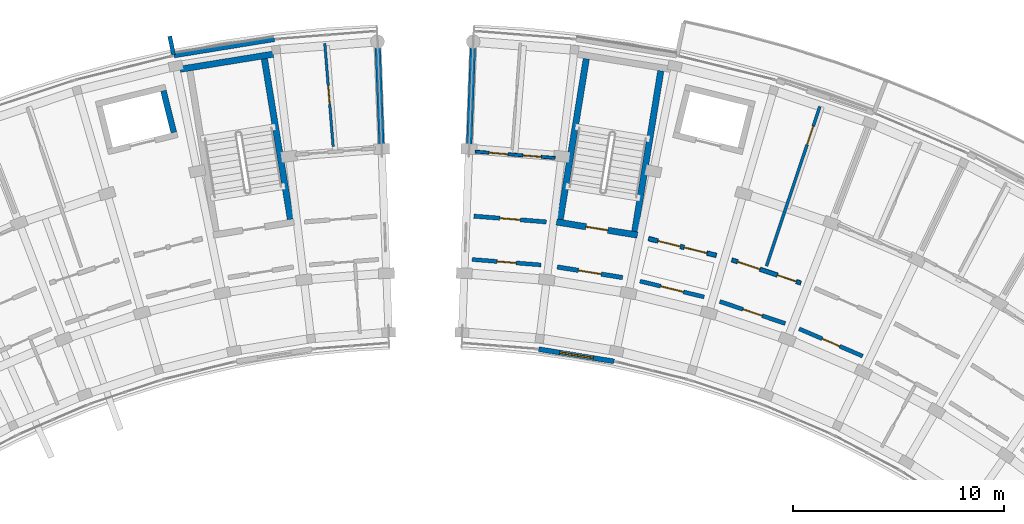
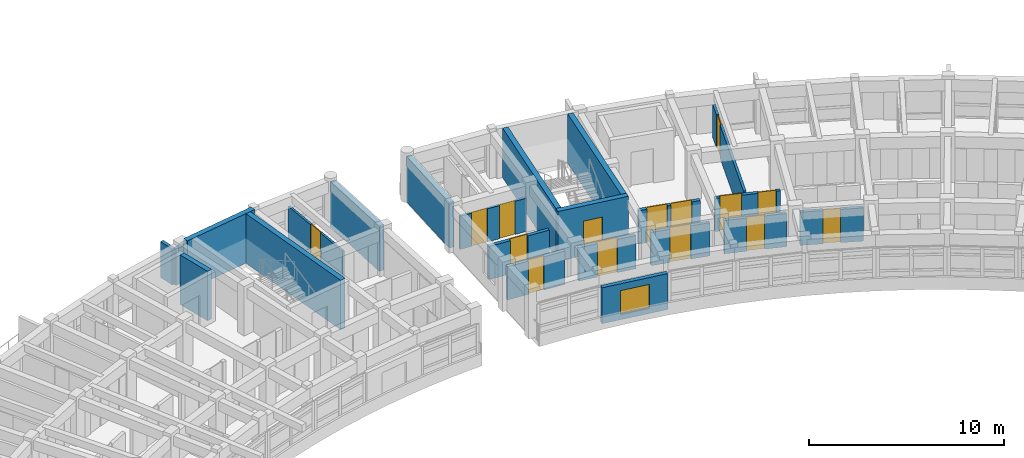
# One storey, part 33 of 50: 22 walls, 15 doors, 1 window, 16 openings.
"""IFC4 building model written with IfcOpenShell, lengths in metres."""

import ifcopenshell
import ifcopenshell.guid

model = None  # the IFC model being written
_history = None  # IfcOwnerHistory: only IFC2X3 demands one
_inside = {}  # id of a spatial element -> (the spatial element, [elements in it])
_under = {}  # id of a project, library or spatial element -> (it, [spatial elements below it])
_declared = {}  # id of a project -> (the project, [libraries it declares])
_typed = {}  # id of a type object -> (the type object, [elements of that type])
_made_of = {}  # id of a material, layer set ... -> (it, [elements and type objects made of it])


def new_model(schema):
    """Start an empty IFC model of exactly this schema.

    Asked for "IFC4X3", IfcOpenShell would pick the latest addendum, in which some entities
    have other attributes; the version numbers below select the first issue.
    IFC2X3 requires an IfcOwnerHistory on every rooted entity: one is made here for all.
    """
    global model, _history
    if schema == "IFC4X3":
        model = ifcopenshell.file(schema_version=(4, 3, 0, 0))
    else:
        model = ifcopenshell.file(schema=schema)
    _inside.clear()
    _under.clear()
    _declared.clear()
    _typed.clear()
    _made_of.clear()
    _history = None
    if model.schema == "IFC2X3":
        org = make("IfcOrganization", Name="unknown")
        user = make(
            "IfcPersonAndOrganization",
            ThePerson=make("IfcPerson", FamilyName="unknown"),
            TheOrganization=org,
        )
        app = make(
            "IfcApplication",
            ApplicationDeveloper=org,
            Version="unknown",
            ApplicationFullName="unknown",
            ApplicationIdentifier="unknown",
        )
        _history = make(
            "IfcOwnerHistory",
            OwningUser=user,
            OwningApplication=app,
            ChangeAction="ADDED",
            CreationDate=0,
        )
    return model


def make(cls, **values):
    """One entity of the class cls with the attributes given. An attribute that is None is left unset."""
    return model.create_entity(
        cls, **{name: value for name, value in values.items() if value is not None}
    )


def rooted(cls, **values):
    """An entity with a GlobalId (a new one), such as an element, a storey or a relation."""
    return make(cls, GlobalId=ifcopenshell.guid.new(), OwnerHistory=_history, **values)


def si_unit(unit_type, name, prefix=None):
    """IfcSIUnit, for example si_unit("LENGTHUNIT", "METRE", prefix="MILLI")."""
    return make("IfcSIUnit", UnitType=unit_type, Prefix=prefix, Name=name)


def assignment(units):
    """IfcUnitAssignment: the units of a project."""
    return None if units is None else make("IfcUnitAssignment", Units=units)


def point(xyz):
    """IfcCartesianPoint."""
    return None if xyz is None else make("IfcCartesianPoint", Coordinates=xyz)


def direction(xyz):
    """IfcDirection."""
    return None if xyz is None else make("IfcDirection", DirectionRatios=xyz)


def frame(location, z_axis=None, x_axis=None):
    """IfcAxis2Placement3D, a coordinate frame: its origin and axes. An axis left out is left unset."""
    return make(
        "IfcAxis2Placement3D",
        Location=point(location),
        Axis=direction(z_axis),
        RefDirection=direction(x_axis),
    )


def frame_2d(location, x_axis=None):
    """IfcAxis2Placement2D, a coordinate frame in the plane: its origin and x axis."""
    return make(
        "IfcAxis2Placement2D", Location=point(location), RefDirection=direction(x_axis)
    )


def origin():
    """The frame at (0, 0, 0) with its axes left unset."""
    return frame((0.0, 0.0, 0.0))


def place(relative_to, where):
    """IfcLocalPlacement: puts the frame where relative to a parent placement (None: the world)."""
    return make(
        "IfcLocalPlacement", PlacementRelTo=relative_to, RelativePlacement=where
    )


def context(
    kind, dimensions, precision=None, world=None, true_north=None, identifier=None
):
    """IfcGeometricRepresentationContext, for example the 3D "Model" context."""
    return make(
        "IfcGeometricRepresentationContext",
        ContextIdentifier=identifier,
        ContextType=kind,
        CoordinateSpaceDimension=dimensions,
        Precision=precision,
        WorldCoordinateSystem=world,
        TrueNorth=true_north,
    )


def subcontext(parent, identifier, kind, view, scale=None):
    """IfcGeometricRepresentationSubContext, for example "Body" below "Model"."""
    return make(
        "IfcGeometricRepresentationSubContext",
        ContextIdentifier=identifier,
        ContextType=kind,
        ParentContext=parent,
        TargetScale=scale,
        TargetView=view,
    )


def project(units=None, contexts=None):
    """IfcProject with its units and contexts."""
    return rooted(
        "IfcProject",
        Name="project",
        RepresentationContexts=contexts,
        UnitsInContext=assignment(units),
    )


def spatial(cls, under=None, at=None, **own):
    """A site, building, storey or space (cls), placed at a placement, below another one or the project."""
    s = rooted(cls, ObjectPlacement=at, **own)
    if under is not None:
        _under.setdefault(under.id(), (under, []))[1].append(s)
    return s


def profile(cls, at=None, kind="AREA", **sizes):
    """A parametric profile (cls). Its sizes go by their IFC names, for example OverallWidth=200.0."""
    return make(cls, ProfileType=kind, Position=at, **sizes)


def rectangle(**sizes):
    """IfcRectangleProfileDef."""
    return profile("IfcRectangleProfileDef", **sizes)


def extrude(swept, where, along, depth):
    """IfcExtrudedAreaSolid: the profile swept, set in the frame where, extruded along a direction by depth."""
    return make(
        "IfcExtrudedAreaSolid",
        SweptArea=swept,
        Position=where,
        ExtrudedDirection=direction(along),
        Depth=depth,
    )


def shape(context_of_items, identifier, shape_type, items):
    """IfcShapeRepresentation: the items that make up one representation, for example the "Body"."""
    return make(
        "IfcShapeRepresentation",
        ContextOfItems=context_of_items,
        RepresentationIdentifier=identifier,
        RepresentationType=shape_type,
        Items=items,
    )


def material(Name=None, Category=None):
    """IfcMaterial."""
    return make("IfcMaterial", Name=Name, Category=Category)


def layer(
    of_material, thickness, ventilated=None, Name=None, Category=None, Priority=None
):
    """IfcMaterialLayer: one layer of a wall or slab, of a material (None: an air gap)."""
    return make(
        "IfcMaterialLayer",
        Material=of_material,
        LayerThickness=thickness,
        IsVentilated=ventilated,
        Name=Name,
        Category=Category,
        Priority=Priority,
    )


def layer_set(layers, Name=None):
    """IfcMaterialLayerSet."""
    return make("IfcMaterialLayerSet", MaterialLayers=layers, LayerSetName=Name)


def made_of(thing, what):
    """Note that an element or type object is made of a material, layer set ...; save() writes the relation."""
    if what is not None:
        _made_of.setdefault(what.id(), (what, []))[1].append(thing)
    return thing


def type_object(cls, material=None, **own):
    """A type object (cls), such as IfcWallType, which elements share."""
    return made_of(rooted(cls, **own), material)


def element(
    cls,
    number,
    at=None,
    inside=None,
    cuts=None,
    type_object=None,
    material=None,
    context=None,
    identifier="Body",
    shape_type=None,
    held_by="IfcProductDefinitionShape",
    body=None,
    shapes=None,
    **own,
):
    """One element of the class cls, such as IfcWall. Its Tag is "e" and its number.

    at: its placement. inside: the storey or other place that contains it. cuts: it is an
    opening in that element (IfcRelVoidsElement). A single representation is given by context,
    identifier, shape_type and body (its items); several are given by shapes. held_by: the class
    of the entity that holds the representations. save() writes the other relations.
    """
    e = rooted(cls, Tag="e%d" % number, ObjectPlacement=at, **own)
    if body is not None:
        shapes = [shape(context, identifier, shape_type, body)]
    if shapes is not None:
        e.Representation = make(held_by, Representations=shapes)
    if inside is not None:
        _inside.setdefault(inside.id(), (inside, []))[1].append(e)
    if cuts is not None:
        rooted(
            "IfcRelVoidsElement", RelatingBuildingElement=cuts, RelatedOpeningElement=e
        )
    if type_object is not None:
        _typed.setdefault(type_object.id(), (type_object, []))[1].append(e)
    return made_of(e, material)


def fill(opening, filler):
    """IfcRelFillsElement: the door or window that sits in an opening."""
    return rooted(
        "IfcRelFillsElement",
        RelatingOpeningElement=opening,
        RelatedBuildingElement=filler,
    )


def aggregate(whole, parts):
    """IfcRelAggregates: a whole, such as a stair, and the parts it consists of."""
    return rooted("IfcRelAggregates", RelatingObject=whole, RelatedObjects=parts)


def save(model, path):
    """Write the relations noted so far, then the file.

    IfcRelAggregates (storeys below a building ...), IfcRelContainedInSpatialStructure (elements
    in a storey), IfcRelDefinesByType, IfcRelAssociatesMaterial and IfcRelDeclares: one each for
    every whole, place, type object, material and project.
    """
    for whole, parts in _under.values():
        aggregate(whole, parts)
    for where, things in _inside.values():
        rooted(
            "IfcRelContainedInSpatialStructure",
            RelatedElements=things,
            RelatingStructure=where,
        )
    for kind, things in _typed.values():
        rooted("IfcRelDefinesByType", RelatedObjects=things, RelatingType=kind)
    for what, things in _made_of.values():
        rooted("IfcRelAssociatesMaterial", RelatedObjects=things, RelatingMaterial=what)
    for by, libraries in _declared.values():
        rooted("IfcRelDeclares", RelatingContext=by, RelatedDefinitions=libraries)
    model.write(path)


model = new_model("IFC4")

# Units and contexts
model_context = context("Model", 3, precision=1e-05, world=origin(), true_north=direction((0.0, 1.0)))
body_context = subcontext(model_context, "Body", "Model", "MODEL_VIEW")
ifc_project = project(units=[si_unit("LENGTHUNIT", "METRE"), si_unit("AREAUNIT", "SQUARE_METRE"), si_unit("VOLUMEUNIT", "CUBIC_METRE"), si_unit("PLANEANGLEUNIT", "RADIAN"), si_unit("MASSUNIT", "GRAM", prefix="KILO")], contexts=[model_context])

# Site, building, storey
site_placement = place(None, origin())
site = spatial("IfcSite", under=ifc_project, at=site_placement, CompositionType="ELEMENT")
building_placement = place(site_placement, origin())
building = spatial("IfcBuilding", under=site, at=building_placement, Name="Zimvara Arc Housing Community", CompositionType="ELEMENT")
storey_placement = place(building_placement, frame((0.0, 0.0, 26.699951171875)))
storey = spatial("IfcBuildingStorey", under=building, at=storey_placement, Name="L08", CompositionType="ELEMENT", Elevation=26.699951171875)

# Wall, opening, window
ifc_material_1 = material(Name="Board-Marked Fair-Faced Concrete C35/45", Category="concrete")
ifc_layer_1 = layer(ifc_material_1, 0.22998046875)
ifc_layer_set_1 = layer_set([ifc_layer_1], Name="Board-Marked Fair-Faced Concrete C35/45")
wall_type_1 = type_object("IfcWallType", Name="EWL-CONC-230", PredefinedType="SOLIDWALL", material=ifc_layer_set_1)
wall_1_placement = place(storey_placement, frame((50.36474609375, 88.79541015625, 0.0), z_axis=(0.0, 0.0, 1.0), x_axis=(0.987080874485, -0.160222804952, 0.0)))
wall_1 = element("IfcWall", 1, at=wall_1_placement, inside=storey, type_object=wall_type_1, Name="ewall:blkB:L08:in:b1", PredefinedType="SOLIDWALL", context=body_context, shape_type="SweptSolid", body=[
    extrude(rectangle(XDim=3.603759765625, YDim=0.22998046875, at=frame_2d((1.8017578125, 0.0))), origin(), (0.0, 0.0, 1.0), 2.25),
])
opening_1_placement = place(wall_1_placement, frame((1.001708984375, 0.0, 0.320068359375)))
opening_1 = element("IfcOpeningElement", 2, at=opening_1_placement, cuts=wall_1, Name="Opening W03", PredefinedType="OPENING", context=body_context, shape_type="SweptSolid", body=[
    extrude(rectangle(XDim=1.60009765625, YDim=1.5, at=frame_2d((0.800048828125, 0.75))), frame((0.0, 0.125, 0.0), z_axis=(0.0, -1.0, 0.0), x_axis=(1.0, 0.0, 0.0)), (0.0, 0.0, 1.0), 0.25),
])
ifc_material_2 = material(Name="Solar Control Low-E Double Glazing", Category="glass")
window_type = type_object("IfcWindowType", Name="WIN-RES-1600x1500", PartitioningType="DOUBLE_PANEL_VERTICAL", PredefinedType="WINDOW", material=ifc_material_2)
window_placement = place(opening_1_placement, origin())
window = element("IfcWindow", 3, at=window_placement, inside=storey, type_object=window_type, Name="win:blkB:L08:in:b1", OverallHeight=1.5, OverallWidth=1.60009765625, PartitioningType="DOUBLE_PANEL_VERTICAL", PredefinedType="WINDOW", context=body_context, shape_type="SweptSolid", body=[
    extrude(rectangle(XDim=1.60009765625, YDim=1.5, at=frame_2d((0.800048828125, 0.75))), frame((0.0, 0.030029296875, 0.0), z_axis=(0.0, -1.0, 0.0), x_axis=(1.0, 0.0, 0.0)), (0.0, 0.0, 1.0), 0.06005859375),
])
fill(opening_1, window)

# Walls
ifc_material_3 = material(Name="Board-Marked Fair-Faced Concrete C35/45", Category="concrete")
ifc_layer_2 = layer(ifc_material_3, 0.195068359375)
ifc_layer_set_2 = layer_set([ifc_layer_2], Name="Board-Marked Fair-Faced Concrete C35/45")
wall_type_2 = type_object("IfcWallType", Name="EWL-PARA-195", PredefinedType="PARAPET", material=ifc_layer_set_2)
wall_2_placement = place(storey_placement, frame((33.092529296875, 102.714599609375, 0.0), z_axis=(0.0, 0.0, 1.0), x_axis=(-0.200183211319, 0.979758481416, 0.0)))
element("IfcWall", 4, at=wall_2_placement, inside=storey, type_object=wall_type_2, Name="finwall:blkA:L08:out:b8", PredefinedType="PARAPET", context=body_context, shape_type="SweptSolid", body=[
    extrude(rectangle(XDim=0.900146484375, YDim=0.195068359375, at=frame_2d((0.4501953125, 0.0))), origin(), (0.0, 0.0, 1.0), 2.25),
])
ifc_material_4 = material(Name="Board-Marked Fair-Faced Concrete C35/45", Category="concrete")
ifc_layer_3 = layer(ifc_material_4, 0.22412109375)
ifc_layer_set_3 = layer_set([ifc_layer_3], Name="Board-Marked Fair-Faced Concrete C35/45")
wall_type_3 = type_object("IfcWallType", Name="EWL-VAR-13", PredefinedType="SOLIDWALL", material=ifc_layer_set_3)
wall_3_placement = place(storey_placement, frame((33.120361328125, 102.6787109375, 0.0), z_axis=(0.0, 0.0, 1.0), x_axis=(0.987080750493, 0.160223568819, 0.0)))
element("IfcWall", 5, at=wall_3_placement, inside=storey, type_object=wall_type_3, Name="ewall:blkA:L08:out:b8", PredefinedType="SOLIDWALL", context=body_context, shape_type="SweptSolid", body=[
    extrude(rectangle(XDim=4.808837890625, YDim=0.22412109375, at=frame_2d((2.404296875, 0.0))), origin(), (0.0, 0.0, 1.0), 2.25),
])

# Wall, opening, door
ifc_material_5 = material(Name="Concrete C35/45", Category="concrete")
ifc_layer_4 = layer(ifc_material_5, 0.2099609375)
ifc_layer_set_4 = layer_set([ifc_layer_4], Name="Concrete C35/45")
wall_type_4 = type_object("IfcWallType", Name="IWL-CCF-210", PredefinedType="SOLIDWALL", material=ifc_layer_set_4)
wall_4_placement = place(storey_placement, frame((51.236328125, 92.682861328125, 0.0), z_axis=(0.0, 0.0, 1.0), x_axis=(0.98707079686, -0.160284877599, 0.0)))
wall_4 = element("IfcWall", 6, at=wall_4_placement, inside=storey, type_object=wall_type_4, Name="iwall:blkB:L08:ccf_div:b1", PredefinedType="SOLIDWALL", context=body_context, shape_type="SweptSolid", body=[
    extrude(rectangle(XDim=3.128662109375, YDim=0.2099609375, at=frame_2d((1.564453125, 0.0))), origin(), (0.0, 0.0, 1.0), 2.080078125),
])
opening_2_placement = place(wall_4_placement, frame((1.014404296875, 0.0, 0.0)))
opening_2 = element("IfcOpeningElement", 7, at=opening_2_placement, cuts=wall_4, Name="Opening FD-CCF1", PredefinedType="OPENING", context=body_context, shape_type="SweptSolid", body=[
    extrude(rectangle(XDim=1.10009765625, YDim=2.14990234375, at=frame_2d((0.550048828125, 1.074951171875))), frame((0.0, 0.114990234375, 0.0), z_axis=(0.0, -1.0, 0.0), x_axis=(1.0, 0.0, 0.0)), (0.0, 0.0, 1.0), 0.22998046875),
])
ifc_material_6 = material(Name="Anodised Aluminium AW-6063", Category="aluminium")
door_type_1 = type_object("IfcDoorType", Name="IDR-CCF-1100x2150", OperationType="NOTDEFINED", PredefinedType="DOOR", material=ifc_material_6)
door_1_placement = place(opening_2_placement, origin())
door_1 = element("IfcDoor", 8, at=door_1_placement, inside=storey, type_object=door_type_1, Name="idoor:blkB:L08:ccf_in:b1", OperationType="SINGLE_SWING_RIGHT", OverallHeight=2.14990234375, OverallWidth=1.10009765625, PredefinedType="DOOR", context=body_context, shape_type="SweptSolid", body=[
    extrude(rectangle(XDim=1.10009765625, YDim=2.14990234375, at=frame_2d((0.550048828125, 1.074951171875))), frame((0.0, 0.02490234375, 0.0), z_axis=(0.0, -1.0, 0.0), x_axis=(1.0, 0.0, 0.0)), (0.0, 0.0, 1.0), 0.050048828125),
])
fill(opening_2, door_1)

# Wall, openings, doors
wall_5_placement = place(storey_placement, frame((55.5576171875, 94.021728515625, 0.0), z_axis=(0.0, 0.0, 1.0), x_axis=(0.970719238682, -0.240216901263, 0.0)))
wall_5 = element("IfcWall", 9, at=wall_5_placement, inside=storey, type_object=wall_type_4, Name="iwall:blkB:L08:ll_div:b2", PredefinedType="SOLIDWALL", context=body_context, shape_type="SweptSolid", body=[
    extrude(rectangle(XDim=3.2958984375, YDim=0.2099609375, at=frame_2d((1.64794921875, 0.0))), origin(), (0.0, 0.0, 1.0), 2.080078125),
])
opening_3_placement = place(wall_5_placement, frame((0.449951171875, 0.0, 0.0)))
opening_3 = element("IfcOpeningElement", 10, at=opening_3_placement, cuts=wall_5, Name="Opening FD-CCF1", PredefinedType="OPENING", context=body_context, shape_type="SweptSolid", body=[
    extrude(rectangle(XDim=1.10009765625, YDim=2.14990234375, at=frame_2d((0.550048828125, 1.074951171875))), frame((0.0, 0.114990234375, 0.0), z_axis=(0.0, -1.0, 0.0), x_axis=(1.0, 0.0, 0.0)), (0.0, 0.0, 1.0), 0.22998046875),
])
opening_4_placement = place(wall_5_placement, frame((1.72607421875, 0.0, 0.0)))
opening_4 = element("IfcOpeningElement", 11, at=opening_4_placement, cuts=wall_5, Name="Opening D07", PredefinedType="OPENING", context=body_context, shape_type="SweptSolid", body=[
    extrude(rectangle(XDim=1.1201171875, YDim=2.14990234375, at=frame_2d((0.56005859375, 1.074951171875))), frame((0.0, 0.114990234375, 0.0), z_axis=(0.0, -1.0, 0.0), x_axis=(1.0, 0.0, 0.0)), (0.0, 0.0, 1.0), 0.22998046875),
])
ifc_material_7 = material(Name="Mozambican Hardwood", Category="wood")
door_type_2 = type_object("IfcDoorType", Name="IDR-AMN-1120x2150", OperationType="NOTDEFINED", PredefinedType="DOOR", material=ifc_material_7)
door_2_placement = place(opening_4_placement, origin())
door_2 = element("IfcDoor", 12, at=door_2_placement, inside=storey, type_object=door_type_2, Name="idoor:blkB:L08:rs_in:b2", OperationType="SINGLE_SWING_RIGHT", OverallHeight=2.14990234375, OverallWidth=1.1201171875, PredefinedType="DOOR", context=body_context, shape_type="SweptSolid", body=[
    extrude(rectangle(XDim=1.1201171875, YDim=2.14990234375, at=frame_2d((0.56005859375, 1.074951171875))), frame((0.0, 0.02490234375, 0.0), z_axis=(0.0, -1.0, 0.0), x_axis=(1.0, 0.0, 0.0)), (0.0, 0.0, 1.0), 0.050048828125),
])
fill(opening_4, door_2)
door_3_placement = place(opening_3_placement, origin())
door_3 = element("IfcDoor", 13, at=door_3_placement, inside=storey, type_object=door_type_1, Name="idoor:blkB:L08:ll_in:b2", OperationType="SINGLE_SWING_LEFT", OverallHeight=2.14990234375, OverallWidth=1.10009765625, PredefinedType="DOOR", context=body_context, shape_type="SweptSolid", body=[
    extrude(rectangle(XDim=1.10009765625, YDim=2.14990234375, at=frame_2d((0.550048828125, 1.074951171875))), frame((0.0, 0.02490234375, 0.0), z_axis=(0.0, -1.0, 0.0), x_axis=(1.0, 0.0, 0.0)), (0.0, 0.0, 1.0), 0.050048828125),
])
fill(opening_3, door_3)

# Wall, opening, door
ifc_material_8 = material(Name="Concrete C35/45", Category="concrete")
ifc_layer_5 = layer(ifc_material_8, 0.18994140625)
ifc_layer_set_5 = layer_set([ifc_layer_5], Name="Concrete C35/45")
wall_type_5 = type_object("IfcWallType", Name="IWL-CORR-190", PredefinedType="SOLIDWALL", material=ifc_layer_set_5)
wall_6_placement = place(storey_placement, frame((47.214599609375, 93.036376953125, 0.0), z_axis=(0.0, 0.0, 1.0), x_axis=(0.99686660806, -0.07910098441, 0.0)))
wall_6 = element("IfcWall", 14, at=wall_6_placement, inside=storey, type_object=wall_type_5, Name="iwall:blkB:L08:corr_in:b0", PredefinedType="SOLIDWALL", context=body_context, shape_type="SweptSolid", body=[
    extrude(rectangle(XDim=3.2685546875, YDim=0.18994140625, at=frame_2d((1.63427734375, 0.0))), origin(), (0.0, 0.0, 1.0), 2.080078125),
])
opening_5_placement = place(wall_6_placement, frame((1.184326171875, 0.0, 0.0)))
opening_5 = element("IfcOpeningElement", 15, at=opening_5_placement, cuts=wall_6, Name="Opening D01", PredefinedType="OPENING", context=body_context, shape_type="SweptSolid", body=[
    extrude(rectangle(XDim=0.89990234375, YDim=2.10009765625, at=frame_2d((0.449951171875, 1.050048828125))), frame((0.0, 0.10498046875, 0.0), z_axis=(0.0, -1.0, 0.0), x_axis=(1.0, 0.0, 0.0)), (0.0, 0.0, 1.0), 0.2099609375),
])
ifc_material_9 = material(Name="Mozambican Hardwood", Category="wood")
door_type_3 = type_object("IfcDoorType", Name="IDR-RM-0900x2100", OperationType="NOTDEFINED", PredefinedType="DOOR", material=ifc_material_9)
door_4_placement = place(opening_5_placement, origin())
door_4 = element("IfcDoor", 16, at=door_4_placement, inside=storey, type_object=door_type_3, Name="idoor:blkB:L08:in_rm:b0", OperationType="SINGLE_SWING_RIGHT", OverallHeight=2.10009765625, OverallWidth=0.89990234375, PredefinedType="DOOR", context=body_context, shape_type="SweptSolid", body=[
    extrude(rectangle(XDim=0.89990234375, YDim=2.10009765625, at=frame_2d((0.449951171875, 1.050048828125))), frame((0.0, 0.02490234375, 0.0), z_axis=(0.0, -1.0, 0.0), x_axis=(1.0, 0.0, 0.0)), (0.0, 0.0, 1.0), 0.050048828125),
])
fill(opening_5, door_4)

wall_7_placement = place(storey_placement, frame((55.146728515625, 92.01318359375, 0.0), z_axis=(0.0, 0.0, 1.0), x_axis=(0.970727194092, -0.240184751078, 0.0)))
wall_7 = element("IfcWall", 17, at=wall_7_placement, inside=storey, type_object=wall_type_5, Name="iwall:blkB:L08:ra_div:b2", PredefinedType="SOLIDWALL", context=body_context, shape_type="SweptSolid", body=[
    extrude(rectangle(XDim=3.128662109375, YDim=0.18994140625, at=frame_2d((1.564453125, 0.0))), origin(), (0.0, 0.0, 1.0), 2.080078125),
])
opening_6_placement = place(wall_7_placement, frame((1.00439453125, 0.0, 0.0)))
opening_6 = element("IfcOpeningElement", 18, at=opening_6_placement, cuts=wall_7, Name="Opening D07", PredefinedType="OPENING", context=body_context, shape_type="SweptSolid", body=[
    extrude(rectangle(XDim=1.1201171875, YDim=2.14990234375, at=frame_2d((0.56005859375, 1.074951171875))), frame((0.0, 0.10498046875, 0.0), z_axis=(0.0, -1.0, 0.0), x_axis=(1.0, 0.0, 0.0)), (0.0, 0.0, 1.0), 0.2099609375),
])
door_5_placement = place(opening_6_placement, origin())
door_5 = element("IfcDoor", 19, at=door_5_placement, inside=storey, type_object=door_type_2, Name="idoor:blkB:L08:ra_d:b2", OperationType="SINGLE_SWING_LEFT", OverallHeight=2.14990234375, OverallWidth=1.1201171875, PredefinedType="DOOR", context=body_context, shape_type="SweptSolid", body=[
    extrude(rectangle(XDim=1.1201171875, YDim=2.14990234375, at=frame_2d((0.56005859375, 1.074951171875))), frame((0.0, 0.02490234375, 0.0), z_axis=(0.0, -1.0, 0.0), x_axis=(1.0, 0.0, 0.0)), (0.0, 0.0, 1.0), 0.050048828125),
])
fill(opening_6, door_5)

wall_8_placement = place(storey_placement, frame((58.92333984375, 91.04931640625, 0.0), z_axis=(0.0, 0.0, 1.0), x_axis=(0.94787351033, -0.318646839643, 0.0)))
wall_8 = element("IfcWall", 20, at=wall_8_placement, inside=storey, type_object=wall_type_5, Name="iwall:blkB:L08:corr_in:b3", PredefinedType="SOLIDWALL", context=body_context, shape_type="SweptSolid", body=[
    extrude(rectangle(XDim=3.2685546875, YDim=0.18994140625, at=frame_2d((1.63427734375, 0.0))), origin(), (0.0, 0.0, 1.0), 2.080078125),
])
opening_7_placement = place(wall_8_placement, frame((1.154296875, 0.0, 0.0)))
opening_7 = element("IfcOpeningElement", 21, at=opening_7_placement, cuts=wall_8, Name="Opening D04", PredefinedType="OPENING", context=body_context, shape_type="SweptSolid", body=[
    extrude(rectangle(XDim=0.9599609375, YDim=2.10009765625, at=frame_2d((0.47998046875, 1.050048828125))), frame((0.0, 0.10498046875, 0.0), z_axis=(0.0, -1.0, 0.0), x_axis=(1.0, 0.0, 0.0)), (0.0, 0.0, 1.0), 0.2099609375),
])
ifc_material_10 = material(Name="Mozambican Hardwood", Category="wood")
door_type_4 = type_object("IfcDoorType", Name="IDR-RM-0960x2100", OperationType="NOTDEFINED", PredefinedType="DOOR", material=ifc_material_10)
door_6_placement = place(opening_7_placement, origin())
door_6 = element("IfcDoor", 22, at=door_6_placement, inside=storey, type_object=door_type_4, Name="idoor:blkB:L08:in_rm:b3", OperationType="SINGLE_SWING_RIGHT", OverallHeight=2.10009765625, OverallWidth=0.9599609375, PredefinedType="DOOR", context=body_context, shape_type="SweptSolid", body=[
    extrude(rectangle(XDim=0.9599609375, YDim=2.10009765625, at=frame_2d((0.47998046875, 1.050048828125))), frame((0.0, 0.02490234375, 0.0), z_axis=(0.0, -1.0, 0.0), x_axis=(1.0, 0.0, 0.0)), (0.0, 0.0, 1.0), 0.050048828125),
])
fill(opening_7, door_6)

wall_9_placement = place(storey_placement, frame((62.6748046875, 89.758056640625, 0.0), z_axis=(0.0, 0.0, 1.0), x_axis=(0.918723391052, -0.394901672235, 0.0)))
wall_9 = element("IfcWall", 23, at=wall_9_placement, inside=storey, type_object=wall_type_5, Name="iwall:blkB:L08:corr_in:b4", PredefinedType="SOLIDWALL", context=body_context, shape_type="SweptSolid", body=[
    extrude(rectangle(XDim=3.2685546875, YDim=0.18994140625, at=frame_2d((1.63427734375, 0.0))), origin(), (0.0, 0.0, 1.0), 2.080078125),
])
opening_8_placement = place(wall_9_placement, frame((1.184326171875, 0.0, 0.0)))
opening_8 = element("IfcOpeningElement", 24, at=opening_8_placement, cuts=wall_9, Name="Opening D01", PredefinedType="OPENING", context=body_context, shape_type="SweptSolid", body=[
    extrude(rectangle(XDim=0.89990234375, YDim=2.10009765625, at=frame_2d((0.449951171875, 1.050048828125))), frame((0.0, 0.10498046875, 0.0), z_axis=(0.0, -1.0, 0.0), x_axis=(1.0, 0.0, 0.0)), (0.0, 0.0, 1.0), 0.2099609375),
])
door_7_placement = place(opening_8_placement, origin())
door_7 = element("IfcDoor", 25, at=door_7_placement, inside=storey, type_object=door_type_3, Name="idoor:blkB:L08:in_rm:b4", OperationType="SINGLE_SWING_LEFT", OverallHeight=2.10009765625, OverallWidth=0.89990234375, PredefinedType="DOOR", context=body_context, shape_type="SweptSolid", body=[
    extrude(rectangle(XDim=0.89990234375, YDim=2.10009765625, at=frame_2d((0.449951171875, 1.050048828125))), frame((0.0, 0.02490234375, 0.0), z_axis=(0.0, -1.0, 0.0), x_axis=(1.0, 0.0, 0.0)), (0.0, 0.0, 1.0), 0.050048828125),
])
fill(opening_8, door_7)

ifc_material_11 = material(Name="Concrete C35/45", Category="concrete")
ifc_layer_6 = layer(ifc_material_11, 0.199951171875)
ifc_layer_set_6 = layer_set([ifc_layer_6], Name="Concrete C35/45")
wall_type_6 = type_object("IfcWallType", Name="IWL-CORR-200", PredefinedType="SOLIDWALL", material=ifc_layer_set_6)
wall_10_placement = place(storey_placement, frame((47.293212890625, 95.0849609375, 0.0), z_axis=(0.0, 0.0, 1.0), x_axis=(0.996862545573, -0.079152165058, 0.0)))
wall_10 = element("IfcWall", 26, at=wall_10_placement, inside=storey, type_object=wall_type_6, Name="iwall:blkB:L08:corr_out:b0", PredefinedType="SOLIDWALL", context=body_context, shape_type="SweptSolid", body=[
    extrude(rectangle(XDim=3.43603515625, YDim=0.199951171875, at=frame_2d((1.718017578125, 0.0))), origin(), (0.0, 0.0, 1.0), 2.080078125),
])
opening_9_placement = place(wall_10_placement, frame((1.22802734375, 0.0, 0.0)))
opening_9 = element("IfcOpeningElement", 27, at=opening_9_placement, cuts=wall_10, Name="Opening FD-FL1", PredefinedType="OPENING", context=body_context, shape_type="SweptSolid", body=[
    extrude(rectangle(XDim=0.97998046875, YDim=2.14990234375, at=frame_2d((0.489990234375, 1.074951171875))), frame((0.0, 0.10986328125, 0.0), z_axis=(0.0, -1.0, 0.0), x_axis=(1.0, 0.0, 0.0)), (0.0, 0.0, 1.0), 0.219970703125),
])
ifc_material_12 = material(Name="Mozambican Hardwood", Category="wood")
door_type_5 = type_object("IfcDoorType", Name="IDR-FLAT-0980x2150", OperationType="NOTDEFINED", PredefinedType="DOOR", material=ifc_material_12)
door_8_placement = place(opening_9_placement, origin())
door_8 = element("IfcDoor", 28, at=door_8_placement, inside=storey, type_object=door_type_5, Name="idoor:blkB:L08:flat:b0", OperationType="SINGLE_SWING_LEFT", OverallHeight=2.14990234375, OverallWidth=0.97998046875, PredefinedType="DOOR", context=body_context, shape_type="SweptSolid", body=[
    extrude(rectangle(XDim=0.97998046875, YDim=2.14990234375, at=frame_2d((0.489990234375, 1.074951171875))), frame((0.0, 0.02490234375, 0.0), z_axis=(0.0, -1.0, 0.0), x_axis=(1.0, 0.0, 0.0)), (0.0, 0.0, 1.0), 0.050048828125),
])
fill(opening_9, door_8)

# Wall, openings, doors
wall_11_placement = place(storey_placement, frame((59.49658203125, 93.017578125, 0.0), z_axis=(0.0, 0.0, 1.0), x_axis=(0.947863007629, -0.318678080151, 0.0)))
wall_11 = element("IfcWall", 29, at=wall_11_placement, inside=storey, type_object=wall_type_6, Name="iwall:blkB:L08:corr_out:b3", PredefinedType="SOLIDWALL", context=body_context, shape_type="SweptSolid", body=[
    extrude(rectangle(XDim=3.43603515625, YDim=0.199951171875, at=frame_2d((1.718017578125, 0.0))), origin(), (0.0, 0.0, 1.0), 2.080078125),
])
opening_10_placement = place(wall_11_placement, frame((0.280029296875, 0.0, 0.0)))
opening_10 = element("IfcOpeningElement", 30, at=opening_10_placement, cuts=wall_11, Name="Opening D07", PredefinedType="OPENING", context=body_context, shape_type="SweptSolid", body=[
    extrude(rectangle(XDim=1.1201171875, YDim=2.14990234375, at=frame_2d((0.56005859375, 1.074951171875))), frame((0.0, 0.10986328125, 0.0), z_axis=(0.0, -1.0, 0.0), x_axis=(1.0, 0.0, 0.0)), (0.0, 0.0, 1.0), 0.219970703125),
])
opening_11_placement = place(wall_11_placement, frame((2.26611328125, 0.0, 0.0)))
opening_11 = element("IfcOpeningElement", 31, at=opening_11_placement, cuts=wall_11, Name="Opening D06", PredefinedType="OPENING", context=body_context, shape_type="SweptSolid", body=[
    extrude(rectangle(XDim=0.949951171875, YDim=2.10009765625, at=frame_2d((0.47509765625, 1.050048828125))), frame((0.0, 0.10986328125, 0.0), z_axis=(0.0, -1.0, 0.0), x_axis=(1.0, 0.0, 0.0)), (0.0, 0.0, 1.0), 0.219970703125),
])
door_9_placement = place(opening_10_placement, origin())
door_9 = element("IfcDoor", 32, at=door_9_placement, inside=storey, type_object=door_type_2, Name="idoor:blkB:L08:amen:b3", OperationType="SINGLE_SWING_RIGHT", OverallHeight=2.14990234375, OverallWidth=1.1201171875, PredefinedType="DOOR", context=body_context, shape_type="SweptSolid", body=[
    extrude(rectangle(XDim=1.1201171875, YDim=2.14990234375, at=frame_2d((0.56005859375, 1.074951171875))), frame((0.0, 0.02490234375, 0.0), z_axis=(0.0, -1.0, 0.0), x_axis=(1.0, 0.0, 0.0)), (0.0, 0.0, 1.0), 0.050048828125),
])
fill(opening_10, door_9)
ifc_material_13 = material(Name="Mozambican Hardwood", Category="wood")
door_type_6 = type_object("IfcDoorType", Name="IDR-AWC-0950x2100", OperationType="NOTDEFINED", PredefinedType="DOOR", material=ifc_material_13)
door_10_placement = place(opening_11_placement, origin())
door_10 = element("IfcDoor", 33, at=door_10_placement, inside=storey, type_object=door_type_6, Name="idoor:blkB:L08:cawc:b3", OperationType="SINGLE_SWING_LEFT", OverallHeight=2.10009765625, OverallWidth=0.949951171875, PredefinedType="DOOR", context=body_context, shape_type="SweptSolid", body=[
    extrude(rectangle(XDim=0.949951171875, YDim=2.10009765625, at=frame_2d((0.47509765625, 1.050048828125))), frame((0.0, 0.02490234375, 0.0), z_axis=(0.0, -1.0, 0.0), x_axis=(1.0, 0.0, 0.0)), (0.0, 0.0, 1.0), 0.050048828125),
])
fill(opening_11, door_10)

# Wall, opening, door
ifc_material_14 = material(Name="Painted Acoustic Plasterboard")
ifc_layer_7 = layer(ifc_material_14, 0.1201171875)
ifc_layer_set_7 = layer_set([ifc_layer_7], Name="Painted Acoustic Plasterboard")
wall_type_7 = type_object("IfcWallType", Name="IWL-PART-120", PredefinedType="PARTITIONING", material=ifc_layer_set_7)
wall_12_placement = place(storey_placement, frame((40.640380859375, 98.373779296875, 0.0), z_axis=(0.0, 0.0, 1.0), x_axis=(-0.080666032472, 0.996741185667, 0.0)))
wall_12 = element("IfcWall", 34, at=wall_12_placement, inside=storey, type_object=wall_type_7, Name="iwall:blkA:L08:bed_div:b9", PredefinedType="PARTITIONING", context=body_context, shape_type="SweptSolid", body=[
    extrude(rectangle(XDim=4.89990234375, YDim=0.1201171875, at=frame_2d((2.449951171875, 0.0))), origin(), (0.0, 0.0, 1.0), 2.080078125),
])
opening_12_placement = place(wall_12_placement, frame((2.0048828125, 0.0, 0.0)))
opening_12 = element("IfcOpeningElement", 35, at=opening_12_placement, cuts=wall_12, Name="Opening D12", PredefinedType="OPENING", context=body_context, shape_type="SweptSolid", body=[
    extrude(rectangle(XDim=0.889892578125, YDim=2.10009765625, at=frame_2d((0.44482421875, 1.050048828125))), frame((0.0, 0.070068359375, 0.0), z_axis=(0.0, -1.0, 0.0), x_axis=(1.0, 0.0, 0.0)), (0.0, 0.0, 1.0), 0.14013671875),
])
ifc_material_15 = material(Name="Mozambican Hardwood", Category="wood")
door_type_7 = type_object("IfcDoorType", Name="IDR-MOD-890x2140", OperationType="NOTDEFINED", PredefinedType="DOOR", material=ifc_material_15)
door_11_placement = place(opening_12_placement, origin())
door_11 = element("IfcDoor", 36, at=door_11_placement, inside=storey, type_object=door_type_7, Name="idoor:blkA:L08:bed_d:b9", OperationType="SINGLE_SWING_LEFT", OverallHeight=2.10009765625, OverallWidth=0.889892578125, PredefinedType="DOOR", context=body_context, shape_type="SweptSolid", body=[
    extrude(rectangle(XDim=0.889892578125, YDim=2.10009765625, at=frame_2d((0.44482421875, 1.050048828125))), frame((0.0, 0.02490234375, 0.0), z_axis=(0.0, -1.0, 0.0), x_axis=(1.0, 0.0, 0.0)), (0.0, 0.0, 1.0), 0.050048828125),
])
fill(opening_12, door_11)

# Wall, openings, doors
ifc_material_16 = material(Name="Painted Acoustic Plasterboard")
ifc_layer_8 = layer(ifc_material_16, 0.139892578125)
ifc_layer_set_8 = layer_set([ifc_layer_8], Name="Painted Acoustic Plasterboard")
wall_type_8 = type_object("IfcWallType", Name="IWL-PART-140", PredefinedType="PARTITIONING", material=ifc_layer_set_8)
wall_13_placement = place(storey_placement, frame((47.360595703125, 98.13671875, 0.0), z_axis=(0.0, 0.0, 1.0), x_axis=(0.996863292793, -0.079142753818, 0.0)))
wall_13 = element("IfcWall", 37, at=wall_13_placement, inside=storey, type_object=wall_type_8, Name="iwall:blkB:L08:srv:b0", PredefinedType="PARTITIONING", context=body_context, shape_type="SweptSolid", body=[
    extrude(rectangle(XDim=3.78515625, YDim=0.139892578125, at=frame_2d((1.892578125, 0.0))), origin(), (0.0, 0.0, 1.0), 2.080078125),
])
opening_13_placement = place(wall_13_placement, frame((0.64990234375, 0.0, 0.0)))
opening_13 = element("IfcOpeningElement", 38, at=opening_13_placement, cuts=wall_13, Name="Opening D01", PredefinedType="OPENING", context=body_context, shape_type="SweptSolid", body=[
    extrude(rectangle(XDim=0.89990234375, YDim=2.10009765625, at=frame_2d((0.449951171875, 1.050048828125))), frame((0.0, 0.079833984375, 0.0), z_axis=(0.0, -1.0, 0.0), x_axis=(1.0, 0.0, 0.0)), (0.0, 0.0, 1.0), 0.159912109375),
])
opening_14_placement = place(wall_13_placement, frame((2.255126953125, 0.0, 0.0)))
opening_14 = element("IfcOpeningElement", 39, at=opening_14_placement, cuts=wall_13, Name="Opening D05", PredefinedType="OPENING", context=body_context, shape_type="SweptSolid", body=[
    extrude(rectangle(XDim=0.8798828125, YDim=2.10009765625, at=frame_2d((0.43994140625, 1.050048828125))), frame((0.0, 0.079833984375, 0.0), z_axis=(0.0, -1.0, 0.0), x_axis=(1.0, 0.0, 0.0)), (0.0, 0.0, 1.0), 0.159912109375),
])
door_12_placement = place(opening_13_placement, origin())
door_12 = element("IfcDoor", 40, at=door_12_placement, inside=storey, type_object=door_type_3, Name="idoor:blkB:L08:kit_liv:b0", OperationType="SINGLE_SWING_LEFT", OverallHeight=2.10009765625, OverallWidth=0.89990234375, PredefinedType="DOOR", context=body_context, shape_type="SweptSolid", body=[
    extrude(rectangle(XDim=0.89990234375, YDim=2.10009765625, at=frame_2d((0.449951171875, 1.050048828125))), frame((0.0, 0.02490234375, 0.0), z_axis=(0.0, -1.0, 0.0), x_axis=(1.0, 0.0, 0.0)), (0.0, 0.0, 1.0), 0.050048828125),
])
fill(opening_13, door_12)
ifc_material_17 = material(Name="Mozambican Hardwood", Category="wood")
door_type_8 = type_object("IfcDoorType", Name="IDR-WC-0880x2100", OperationType="NOTDEFINED", PredefinedType="DOOR", material=ifc_material_17)
door_13_placement = place(opening_14_placement, origin())
door_13 = element("IfcDoor", 41, at=door_13_placement, inside=storey, type_object=door_type_8, Name="idoor:blkB:L08:bath_d:b0", OperationType="SINGLE_SWING_RIGHT", OverallHeight=2.10009765625, OverallWidth=0.8798828125, PredefinedType="DOOR", context=body_context, shape_type="SweptSolid", body=[
    extrude(rectangle(XDim=0.8798828125, YDim=2.10009765625, at=frame_2d((0.43994140625, 1.050048828125))), frame((0.0, 0.02490234375, 0.0), z_axis=(0.0, -1.0, 0.0), x_axis=(1.0, 0.0, 0.0)), (0.0, 0.0, 1.0), 0.050048828125),
])
fill(opening_14, door_13)

# Wall, opening, door
wall_14_placement = place(storey_placement, frame((61.129638671875, 92.72412109375, 0.0), z_axis=(0.0, 0.0, 1.0), x_axis=(0.317204178278, 0.948357268798, 0.0)))
wall_14 = element("IfcWall", 42, at=wall_14_placement, inside=storey, type_object=wall_type_8, Name="iwall:blkB:L08:amen_div:b3", PredefinedType="PARTITIONING", context=body_context, shape_type="SweptSolid", body=[
    extrude(rectangle(XDim=7.949951171875, YDim=0.139892578125, at=frame_2d((3.97509765625, 0.0))), origin(), (0.0, 0.0, 1.0), 2.080078125),
])
opening_15_placement = place(wall_14_placement, frame((6.050048828125, 0.0, 0.0)))
opening_15 = element("IfcOpeningElement", 43, at=opening_15_placement, cuts=wall_14, Name="Opening D02", PredefinedType="OPENING", context=body_context, shape_type="SweptSolid", body=[
    extrude(rectangle(XDim=0.919921875, YDim=2.10009765625, at=frame_2d((0.4599609375, 1.050048828125))), frame((0.0, 0.079833984375, 0.0), z_axis=(0.0, -1.0, 0.0), x_axis=(1.0, 0.0, 0.0)), (0.0, 0.0, 1.0), 0.159912109375),
])
ifc_material_18 = material(Name="Mozambican Hardwood", Category="wood")
door_type_9 = type_object("IfcDoorType", Name="IDR-RM-0920x2100", OperationType="NOTDEFINED", PredefinedType="DOOR", material=ifc_material_18)
door_14_placement = place(opening_15_placement, origin())
door_14 = element("IfcDoor", 44, at=door_14_placement, inside=storey, type_object=door_type_9, Name="idoor:blkB:L08:laund_d:b3", OperationType="SINGLE_SWING_LEFT", OverallHeight=2.10009765625, OverallWidth=0.919921875, PredefinedType="DOOR", context=body_context, shape_type="SweptSolid", body=[
    extrude(rectangle(XDim=0.919921875, YDim=2.10009765625, at=frame_2d((0.4599609375, 1.050048828125))), frame((0.0, 0.02490234375, 0.0), z_axis=(0.0, -1.0, 0.0), x_axis=(1.0, 0.0, 0.0)), (0.0, 0.0, 1.0), 0.050048828125),
])
fill(opening_15, door_14)

# Walls
ifc_material_19 = material(Name="Concrete C40/50", Category="concrete")
ifc_layer_9 = layer(ifc_material_19, 0.280029296875)
ifc_layer_set_9 = layer_set([ifc_layer_9], Name="Concrete C40/50")
wall_type_9 = type_object("IfcWallType", Name="WL-CORE-280", PredefinedType="SHEAR", material=ifc_layer_set_9)
wall_15_placement = place(storey_placement, frame((33.103515625, 99.04443359375, 0.0), z_axis=(0.0, 0.0, 1.0), x_axis=(-0.240186044774, 0.970726873995, 0.0)))
element("IfcWall", 45, at=wall_15_placement, inside=storey, type_object=wall_type_9, Name="lwall:LF-A2:L08:left", PredefinedType="SHEAR", context=body_context, shape_type="SweptSolid", body=[
    extrude(rectangle(XDim=2.02978515625, YDim=0.280029296875, at=frame_2d((1.014892578125, 0.0))), origin(), (0.0, 0.0, 1.0), 3.10009765625),
])
ifc_material_20 = material(Name="Concrete C40/50", Category="concrete")
ifc_layer_10 = layer(ifc_material_20, 0.300048828125)
ifc_layer_set_10 = layer_set([ifc_layer_10], Name="Concrete C40/50")
wall_type_10 = type_object("IfcWallType", Name="WL-CORE-300", PredefinedType="SHEAR", material=ifc_layer_set_10)
wall_16_placement = place(storey_placement, frame((37.8095703125, 102.745361328125, 0.0), z_axis=(0.0, 0.0, 1.0), x_axis=(-0.987084710126, -0.160199173019, 0.0)))
element("IfcWall", 46, at=wall_16_placement, inside=storey, type_object=wall_type_10, Name="cwall:ST-A2:L08:far", PredefinedType="SHEAR", context=body_context, shape_type="SweptSolid", body=[
    extrude(rectangle(XDim=4.4697265625, YDim=0.300048828125, at=frame_2d((2.23486328125, 0.0))), origin(), (0.0, 0.0, 1.0), 3.10009765625),
])
wall_17_placement = place(storey_placement, frame((38.62158203125, 94.9345703125, 0.0), z_axis=(0.0, 0.0, 1.0), x_axis=(-0.160196564502, 0.987085133472, 0.0)))
element("IfcWall", 47, at=wall_17_placement, inside=storey, type_object=wall_type_10, Name="cwall:ST-A2:L08:left", PredefinedType="SHEAR", context=body_context, shape_type="SweptSolid", body=[
    extrude(rectangle(XDim=7.690185546875, YDim=0.300048828125, at=frame_2d((3.84521484375, 0.0))), origin(), (0.0, 0.0, 1.0), 3.10009765625),
])

# Wall, opening, door
wall_18_placement = place(storey_placement, frame((55.026123046875, 94.1904296875, 0.0), z_axis=(0.0, 0.0, 1.0), x_axis=(-0.987077443397, 0.160243941341, 0.0)))
wall_18 = element("IfcWall", 48, at=wall_18_placement, inside=storey, type_object=wall_type_10, Name="cwall:ST-B1:L08:near", PredefinedType="SHEAR", context=body_context, shape_type="SweptSolid", body=[
    extrude(rectangle(XDim=3.869873046875, YDim=0.300048828125, at=frame_2d((1.93505859375, 0.0))), origin(), (0.0, 0.0, 1.0), 3.10009765625),
])
opening_16_placement = place(wall_18_placement, frame((1.409912109375, 0.0, 0.0)))
opening_16 = element("IfcOpeningElement", 49, at=opening_16_placement, cuts=wall_18, Name="Opening FD-ST2", PredefinedType="OPENING", context=body_context, shape_type="SweptSolid", body=[
    extrude(rectangle(XDim=1.050048828125, YDim=2.14990234375, at=frame_2d((0.52490234375, 1.074951171875))), frame((0.0, 0.159912109375, 0.0), z_axis=(0.0, -1.0, 0.0), x_axis=(1.0, 0.0, 0.0)), (0.0, 0.0, 1.0), 0.320068359375),
])
ifc_material_21 = material(Name="Anodised Aluminium AW-6063", Category="aluminium")
door_type_10 = type_object("IfcDoorType", Name="IDR-ST-1050x2150", OperationType="NOTDEFINED", PredefinedType="DOOR", material=ifc_material_21)
door_15_placement = place(opening_16_placement, origin())
door_15 = element("IfcDoor", 50, at=door_15_placement, inside=storey, type_object=door_type_10, Name="idoor:ST-B1:L08:entry", OperationType="SINGLE_SWING_RIGHT", OverallHeight=2.14990234375, OverallWidth=1.050048828125, PredefinedType="DOOR", context=body_context, shape_type="SweptSolid", body=[
    extrude(rectangle(XDim=1.050048828125, YDim=2.14990234375, at=frame_2d((0.52490234375, 1.074951171875))), frame((0.0, 0.02490234375, 0.0), z_axis=(0.0, -1.0, 0.0), x_axis=(1.0, 0.0, 0.0)), (0.0, 0.0, 1.0), 0.050048828125),
])
fill(opening_16, door_15)

# Walls
for number, where, z_axis, x_axis, name in (
    (51, (54.902099609375, 94.362548828125, 0.0), (0.0, 0.0, 1.0), (0.160227496777, 0.987080112897, 0.0), "cwall:ST-B1:L08:left"),
    (52, (51.37841796875, 94.9345703125, 0.0), (0.0, 0.0, 1.0), (0.160196564502, 0.987085133472, 0.0), "cwall:ST-B1:L08:right"),
):
    element("IfcWall", number, at=place(storey_placement, frame(where, z_axis=z_axis, x_axis=x_axis)), inside=storey, type_object=wall_type_10, Name=name, PredefinedType="SHEAR", context=body_context, shape_type="SweptSolid", body=[
        extrude(rectangle(XDim=7.690185546875, YDim=0.300048828125, at=frame_2d((3.84521484375, 0.0))), origin(), (0.0, 0.0, 1.0), 3.10009765625),
    ])
ifc_material_22 = material(Name="Concrete C40/50", Category="concrete")
ifc_layer_11 = layer(ifc_material_22, 0.27001953125)
ifc_layer_set_11 = layer_set([ifc_layer_11], Name="Concrete C40/50")
wall_type_11 = type_object("IfcWallType", Name="WL-SHEAR-270", PredefinedType="SHEAR", material=ifc_layer_set_11)
for number, where, z_axis, x_axis, name in (
    (53, (42.927734375, 98.440185546875, 0.0), (0.0, 0.0, 1.0), (-0.038379487611, 0.999263236055, 0.0), "swall:blkA:L08:east"),
    (54, (47.072265625, 98.440185546875, 0.0), (0.0, 0.0, 1.0), (0.038379487611, 0.999263236055, 0.0), "swall:blkB:L08:west"),
):
    element("IfcWall", number, at=place(storey_placement, frame(where, z_axis=z_axis, x_axis=x_axis)), inside=storey, type_object=wall_type_11, Name=name, PredefinedType="SHEAR", context=body_context, shape_type="SweptSolid", body=[
        extrude(rectangle(XDim=4.719970703125, YDim=0.27001953125, at=frame_2d((2.35986328125, 0.0))), origin(), (0.0, 0.0, 1.0), 2.860107421875),
    ])

save(model, "model.ifc")
